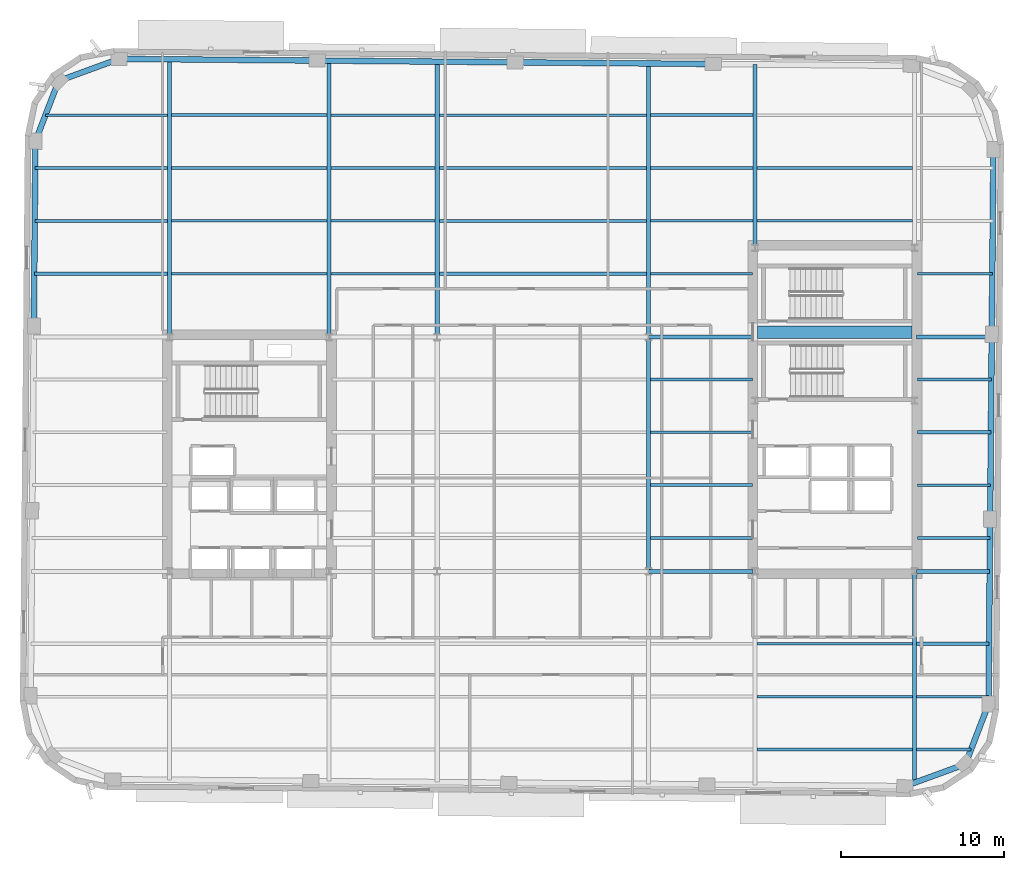
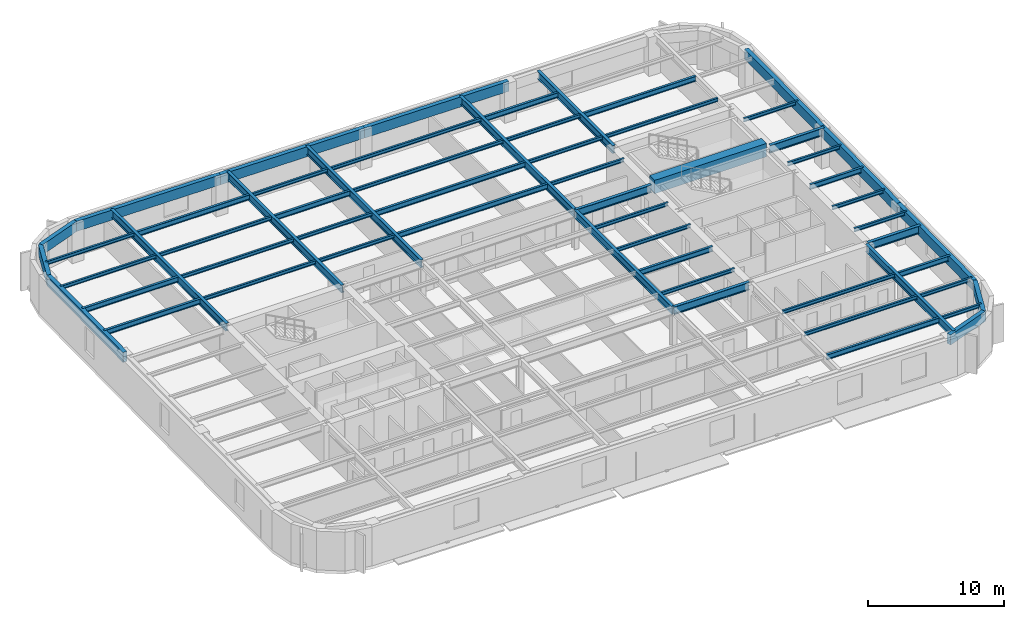
# One storey, part 2 of 12: 60 beams.
"""IFC4 building model written with IfcOpenShell, lengths in metres."""

from ifc_helpers import new_model, si_unit, direction, frame, origin, origin_2d, place, context, subcontext, project, spatial, rectangle, hollow_rectangle, i_section, extrude, material, material_profile, profile_set, type_object, element, save


model = new_model("IFC4")

# Units and contexts
model_context = context("Model", 3, precision=1e-05, world=origin(), true_north=direction((0.0, 1.0)))
body_context = subcontext(model_context, "Body", "Model", "MODEL_VIEW")
ifc_project = project(units=[si_unit("LENGTHUNIT", "METRE"), si_unit("AREAUNIT", "SQUARE_METRE"), si_unit("VOLUMEUNIT", "CUBIC_METRE"), si_unit("PLANEANGLEUNIT", "RADIAN"), si_unit("MASSUNIT", "GRAM", prefix="KILO")], contexts=[model_context])

# Site, building, storey
site_placement = place(None, origin())
site = spatial("IfcSite", under=ifc_project, at=site_placement, CompositionType="ELEMENT")
building_placement = place(site_placement, origin())
building = spatial("IfcBuilding", under=site, at=building_placement, Name="Kolvaren Arena Tower", CompositionType="ELEMENT")
storey_placement = place(building_placement, frame((0.0, 0.0, 165.949951171875)))
storey = spatial("IfcBuildingStorey", under=building, at=storey_placement, Name="L39", CompositionType="ELEMENT", Elevation=165.949951171875)

# Beams
ifc_material_1 = material(Name="Steel CSA G40.21 350W", Category="steel")
ifc_material_profile_1 = material_profile(ifc_material_1, i_section(OverallWidth=0.193115234375, OverallDepth=0.462890625, WebThickness=0.0107421875, FlangeThickness=0.0205078125, FilletRadius=0.012939453125, at=origin_2d()), Name="W460x113")
ifc_profile_set_1 = profile_set([ifc_material_profile_1], Name="Steel CSA G40.21 350W")
beam_type_1 = type_object("IfcBeamType", Name="BEAM-F2", PredefinedType="BEAM", material=ifc_profile_set_1)
beam_1_placement = place(storey_placement, frame((50.677490234375, 8.5, 3.24853515625), z_axis=(1.0, 0.0, 0.0), x_axis=(0.0, 1.0, 0.0)))
element("IfcBeam", 1, at=beam_1_placement, inside=storey, type_object=beam_type_1, Name="Composite Floor Beam (L39)", PredefinedType="BEAM", context=body_context, shape_type="SweptSolid", body=[
    extrude(i_section(OverallWidth=0.193115234375, OverallDepth=0.462890625, WebThickness=0.0107421875, FlangeThickness=0.0205078125, FilletRadius=0.012939453125, at=origin_2d()), origin(), (0.0, 0.0, 1.0), 9.544921875),
])
beam_2_placement = place(storey_placement, frame((60.4775390625, 15.0, 3.24853515625), z_axis=(1.0, 0.0, 0.0), x_axis=(0.0, 1.0, 0.0)))
element("IfcBeam", 2, at=beam_2_placement, inside=storey, type_object=beam_type_1, Name="Composite Floor Beam (L39)", PredefinedType="BEAM", context=body_context, shape_type="SweptSolid", body=[
    extrude(i_section(OverallWidth=0.193115234375, OverallDepth=0.462890625, WebThickness=0.0107421875, FlangeThickness=0.0205078125, FilletRadius=0.012939453125, at=origin_2d()), origin(), (0.0, 0.0, 1.0), 4.454833984375),
])
beam_3_placement = place(storey_placement, frame((44.12744140625, 24.75, 3.24853515625), z_axis=(1.0, 0.0, 0.0), x_axis=(0.0, 1.0, 0.0)))
element("IfcBeam", 3, at=beam_3_placement, inside=storey, type_object=beam_type_1, Name="Composite Floor Beam (L39)", PredefinedType="BEAM", context=body_context, shape_type="SweptSolid", body=[
    extrude(i_section(OverallWidth=0.193115234375, OverallDepth=0.462890625, WebThickness=0.0107421875, FlangeThickness=0.0205078125, FilletRadius=0.012939453125, at=origin_2d()), origin(), (0.0, 0.0, 1.0), 6.25244140625),
])
beam_4_placement = place(storey_placement, frame((60.52001953125, 28.0, 3.24853515625), z_axis=(1.0, 0.0, 0.0), x_axis=(0.0, 1.0, 0.0)))
element("IfcBeam", 4, at=beam_4_placement, inside=storey, type_object=beam_type_1, Name="Composite Floor Beam (L39)", PredefinedType="BEAM", context=body_context, shape_type="SweptSolid", body=[
    extrude(i_section(OverallWidth=0.193115234375, OverallDepth=0.462890625, WebThickness=0.0107421875, FlangeThickness=0.0205078125, FilletRadius=0.012939453125, at=origin_2d()), origin(), (0.0, 0.0, 1.0), 4.52587890625),
])
beam_5_placement = place(storey_placement, frame((6.228759765625, 37.75, 3.24853515625), z_axis=(1.0, 0.0, 0.0), x_axis=(0.0, 1.0, 0.0)))
element("IfcBeam", 5, at=beam_5_placement, inside=storey, type_object=beam_type_1, Name="Composite Floor Beam (L39)", PredefinedType="BEAM", context=body_context, shape_type="SweptSolid", body=[
    extrude(i_section(OverallWidth=0.193115234375, OverallDepth=0.462890625, WebThickness=0.0107421875, FlangeThickness=0.0205078125, FilletRadius=0.012939453125, at=origin_2d()), origin(), (0.0, 0.0, 1.0), 8.19384765625),
])
beam_6_placement = place(storey_placement, frame((31.12744140625, 37.75, 3.24853515625), z_axis=(1.0, 0.0, 0.0), x_axis=(0.0, 1.0, 0.0)))
element("IfcBeam", 6, at=beam_6_placement, inside=storey, type_object=beam_type_1, Name="Composite Floor Beam (L39)", PredefinedType="BEAM", context=body_context, shape_type="SweptSolid", body=[
    extrude(i_section(OverallWidth=0.193115234375, OverallDepth=0.462890625, WebThickness=0.0107421875, FlangeThickness=0.0205078125, FilletRadius=0.012939453125, at=origin_2d()), origin(), (0.0, 0.0, 1.0), 12.7451171875),
])
beam_7_placement = place(storey_placement, frame((6.257080078125, 41.0, 3.24853515625), z_axis=(1.0, 0.0, 0.0), x_axis=(0.0, 1.0, 0.0)))
element("IfcBeam", 7, at=beam_7_placement, inside=storey, type_object=beam_type_1, Name="Composite Floor Beam (L39)", PredefinedType="BEAM", context=body_context, shape_type="SweptSolid", body=[
    extrude(i_section(OverallWidth=0.193115234375, OverallDepth=0.462890625, WebThickness=0.0107421875, FlangeThickness=0.0205078125, FilletRadius=0.012939453125, at=origin_2d()), origin(), (0.0, 0.0, 1.0), 8.16552734375),
])
beam_8_placement = place(storey_placement, frame((31.12744140625, 41.0, 3.24853515625), z_axis=(1.0, 0.0, 0.0), x_axis=(0.0, 1.0, 0.0)))
element("IfcBeam", 8, at=beam_8_placement, inside=storey, type_object=beam_type_1, Name="Composite Floor Beam (L39)", PredefinedType="BEAM", context=body_context, shape_type="SweptSolid", body=[
    extrude(i_section(OverallWidth=0.193115234375, OverallDepth=0.462890625, WebThickness=0.0107421875, FlangeThickness=0.0205078125, FilletRadius=0.012939453125, at=origin_2d()), origin(), (0.0, 0.0, 1.0), 12.7451171875),
])
beam_9_placement = place(storey_placement, frame((24.4775390625, 44.25, 3.24853515625), z_axis=(1.0, 0.0, 0.0), x_axis=(0.0, 1.0, 0.0)))
element("IfcBeam", 9, at=beam_9_placement, inside=storey, type_object=beam_type_1, Name="Composite Floor Beam (L39)", PredefinedType="BEAM", context=body_context, shape_type="SweptSolid", body=[
    extrude(i_section(OverallWidth=0.193115234375, OverallDepth=0.462890625, WebThickness=0.0107421875, FlangeThickness=0.0205078125, FilletRadius=0.012939453125, at=origin_2d()), origin(), (0.0, 0.0, 1.0), 6.39501953125),
])
for number, where, z_axis, x_axis, name in (
    (10, (50.677490234375, 44.25, 3.24853515625), (1.0, 0.0, 0.0), (0.0, 1.0, 0.0), "Composite Floor Beam (L39)"),
    (11, (14.677490234375, 47.5, 3.24853515625), (1.0, 0.0, 0.0), (0.0, 1.0, 0.0), "Composite Floor Beam (L39)"),
):
    element("IfcBeam", number, at=place(storey_placement, frame(where, z_axis=z_axis, x_axis=x_axis)), inside=storey, type_object=beam_type_1, Name=name, PredefinedType="BEAM", context=body_context, shape_type="SweptSolid", body=[
        extrude(i_section(OverallWidth=0.193115234375, OverallDepth=0.462890625, WebThickness=0.0107421875, FlangeThickness=0.0205078125, FilletRadius=0.012939453125, at=origin_2d()), origin(), (0.0, 0.0, 1.0), 9.544921875),
    ])
beam_10_placement = place(storey_placement, frame((44.12744140625, 47.5, 3.24853515625), z_axis=(1.0, 0.0, 0.0), x_axis=(0.0, 1.0, 0.0)))
element("IfcBeam", 12, at=beam_10_placement, inside=storey, type_object=beam_type_1, Name="Composite Floor Beam (L39)", PredefinedType="BEAM", context=body_context, shape_type="SweptSolid", body=[
    extrude(i_section(OverallWidth=0.193115234375, OverallDepth=0.462890625, WebThickness=0.0107421875, FlangeThickness=0.0205078125, FilletRadius=0.012939453125, at=origin_2d()), origin(), (0.0, 0.0, 1.0), 6.295166015625),
])
ifc_material_2 = material(Name="Concrete 60 MPa", Category="concrete")
ifc_material_profile_2 = material_profile(ifc_material_2, rectangle(XDim=0.75, YDim=1.199951171875, at=origin_2d()), Name="RC-750x1200")
ifc_profile_set_2 = profile_set([ifc_material_profile_2], Name="Concrete 60 MPa")
beam_type_2 = type_object("IfcBeamType", Name="CB-CORE-2", PredefinedType="BEAM", material=ifc_profile_set_2)
beam_11_placement = place(storey_placement, frame((50.699951171875, 34.14990234375, 3.150146484375), z_axis=(1.0, 0.0, 0.0), x_axis=(0.0, 1.0, 0.0)))
element("IfcBeam", 13, at=beam_11_placement, inside=storey, type_object=beam_type_2, Name="East Core Coupling Beam (L39)", PredefinedType="BEAM", context=body_context, shape_type="SweptSolid", body=[
    extrude(rectangle(XDim=0.75, YDim=1.199951171875, at=origin_2d()), origin(), (0.0, 0.0, 1.0), 9.5),
])
ifc_material_profile_3 = material_profile(ifc_material_1, i_section(OverallWidth=0.2548828125, OverallDepth=0.695068359375, WebThickness=0.01708984375, FlangeThickness=0.02978515625, FilletRadius=0.01611328125, at=origin_2d()), Name="W690x217")
ifc_profile_set_3 = profile_set([ifc_material_profile_3], Name="Steel CSA G40.21 350W")
beam_type_3 = type_object("IfcBeamType", Name="GIRD-T2", PredefinedType="BEAM", material=ifc_profile_set_3)
beam_12_placement = place(storey_placement, frame((44.0, 19.449951171875, 3.132568359375), z_axis=(1.0, 0.0, 0.0), x_axis=(0.0, 1.0, 0.0)))
element("IfcBeam", 14, at=beam_12_placement, inside=storey, type_object=beam_type_3, Name="Primary Floor Girder (L39)", PredefinedType="BEAM", context=body_context, shape_type="SweptSolid", body=[
    extrude(i_section(OverallWidth=0.2548828125, OverallDepth=0.695068359375, WebThickness=0.01708984375, FlangeThickness=0.02978515625, FilletRadius=0.01611328125, at=origin_2d()), origin(), (0.0, 0.0, 1.0), 6.419921875),
])
beam_13_placement = place(storey_placement, frame((60.47998046875, 19.449951171875, 3.132568359375), z_axis=(1.0, 0.0, 0.0), x_axis=(0.0, 1.0, 0.0)))
element("IfcBeam", 15, at=beam_13_placement, inside=storey, type_object=beam_type_3, Name="Primary Floor Girder (L39)", PredefinedType="BEAM", context=body_context, shape_type="SweptSolid", body=[
    extrude(i_section(OverallWidth=0.2548828125, OverallDepth=0.695068359375, WebThickness=0.01708984375, FlangeThickness=0.02978515625, FilletRadius=0.01611328125, at=origin_2d()), origin(), (0.0, 0.0, 1.0), 4.4912109375),
])
beam_14_placement = place(storey_placement, frame((44.0, 33.85009765625, 3.132568359375), z_axis=(1.0, 0.0, 0.0), x_axis=(0.0, 1.0, 0.0)))
element("IfcBeam", 16, at=beam_14_placement, inside=storey, type_object=beam_type_3, Name="Primary Floor Girder (L39)", PredefinedType="BEAM", context=body_context, shape_type="SweptSolid", body=[
    extrude(i_section(OverallWidth=0.2548828125, OverallDepth=0.695068359375, WebThickness=0.01708984375, FlangeThickness=0.02978515625, FilletRadius=0.01611328125, at=origin_2d()), origin(), (0.0, 0.0, 1.0), 6.419921875),
])
beam_15_placement = place(storey_placement, frame((60.47998046875, 33.85009765625, 3.132568359375), z_axis=(1.0, 0.0, 0.0), x_axis=(0.0, 1.0, 0.0)))
element("IfcBeam", 17, at=beam_15_placement, inside=storey, type_object=beam_type_3, Name="Primary Floor Girder (L39)", PredefinedType="BEAM", context=body_context, shape_type="SweptSolid", body=[
    extrude(i_section(OverallWidth=0.2548828125, OverallDepth=0.695068359375, WebThickness=0.01708984375, FlangeThickness=0.02978515625, FilletRadius=0.01611328125, at=origin_2d()), origin(), (0.0, 0.0, 1.0), 4.616943359375),
])
beam_16_placement = place(storey_placement, frame((14.550048828125, 33.97998046875, 3.132568359375), z_axis=(0.0, 1.0, 0.0), x_axis=(-1.0, 0.0, 0.0)))
element("IfcBeam", 18, at=beam_16_placement, inside=storey, type_object=beam_type_3, Name="Primary Floor Girder (L39)", PredefinedType="BEAM", context=body_context, shape_type="SweptSolid", body=[
    extrude(i_section(OverallWidth=0.2548828125, OverallDepth=0.695068359375, WebThickness=0.01708984375, FlangeThickness=0.02978515625, FilletRadius=0.01611328125, at=origin_2d()), origin(), (0.0, 0.0, 1.0), 16.95458984375),
])
beam_17_placement = place(storey_placement, frame((24.35009765625, 33.97998046875, 3.132568359375), z_axis=(0.0, 1.0, 0.0), x_axis=(-1.0, 0.0, 0.0)))
element("IfcBeam", 19, at=beam_17_placement, inside=storey, type_object=beam_type_3, Name="Primary Floor Girder (L39)", PredefinedType="BEAM", context=body_context, shape_type="SweptSolid", body=[
    extrude(i_section(OverallWidth=0.2548828125, OverallDepth=0.695068359375, WebThickness=0.01708984375, FlangeThickness=0.02978515625, FilletRadius=0.01611328125, at=origin_2d()), origin(), (0.0, 0.0, 1.0), 16.869140625),
])
beam_18_placement = place(storey_placement, frame((31.0, 33.85009765625, 3.132568359375), z_axis=(0.0, 1.0, 0.0), x_axis=(-1.0, 0.0, 0.0)))
element("IfcBeam", 20, at=beam_18_placement, inside=storey, type_object=beam_type_3, Name="Primary Floor Girder (L39)", PredefinedType="BEAM", context=body_context, shape_type="SweptSolid", body=[
    extrude(i_section(OverallWidth=0.2548828125, OverallDepth=0.695068359375, WebThickness=0.01708984375, FlangeThickness=0.02978515625, FilletRadius=0.01611328125, at=origin_2d()), origin(), (0.0, 0.0, 1.0), 16.94091796875),
])
beam_19_placement = place(storey_placement, frame((44.0, 19.449951171875, 3.132568359375), z_axis=(0.0, 1.0, 0.0), x_axis=(-1.0, 0.0, 0.0)))
element("IfcBeam", 21, at=beam_19_placement, inside=storey, type_object=beam_type_3, Name="Primary Floor Girder (L39)", PredefinedType="BEAM", context=body_context, shape_type="SweptSolid", body=[
    extrude(i_section(OverallWidth=0.2548828125, OverallDepth=0.695068359375, WebThickness=0.01708984375, FlangeThickness=0.02978515625, FilletRadius=0.01611328125, at=origin_2d()), origin(), (0.0, 0.0, 1.0), 14.400146484375),
])
beam_20_placement = place(storey_placement, frame((44.0, 33.85009765625, 3.132568359375), z_axis=(0.0, 1.0, 0.0), x_axis=(-1.0, 0.0, 0.0)))
element("IfcBeam", 22, at=beam_20_placement, inside=storey, type_object=beam_type_3, Name="Primary Floor Girder (L39)", PredefinedType="BEAM", context=body_context, shape_type="SweptSolid", body=[
    extrude(i_section(OverallWidth=0.2548828125, OverallDepth=0.695068359375, WebThickness=0.01708984375, FlangeThickness=0.02978515625, FilletRadius=0.01611328125, at=origin_2d()), origin(), (0.0, 0.0, 1.0), 16.827392578125),
])
beam_21_placement = place(storey_placement, frame((50.550048828125, 39.47998046875, 3.132568359375), z_axis=(0.0, 1.0, 0.0), x_axis=(-1.0, 0.0, 0.0)))
element("IfcBeam", 23, at=beam_21_placement, inside=storey, type_object=beam_type_3, Name="Primary Floor Girder (L39)", PredefinedType="BEAM", context=body_context, shape_type="SweptSolid", body=[
    extrude(i_section(OverallWidth=0.2548828125, OverallDepth=0.695068359375, WebThickness=0.01708984375, FlangeThickness=0.02978515625, FilletRadius=0.01611328125, at=origin_2d()), origin(), (0.0, 0.0, 1.0), 11.140380859375),
])
beam_22_placement = place(storey_placement, frame((60.35009765625, 6.455322265625, 3.132568359375), z_axis=(0.0, 1.0, 0.0), x_axis=(-1.0, 0.0, 0.0)))
element("IfcBeam", 24, at=beam_22_placement, inside=storey, type_object=beam_type_3, Name="Primary Floor Girder (L39)", PredefinedType="BEAM", context=body_context, shape_type="SweptSolid", body=[
    extrude(i_section(OverallWidth=0.2548828125, OverallDepth=0.695068359375, WebThickness=0.01708984375, FlangeThickness=0.02978515625, FilletRadius=0.01611328125, at=origin_2d()), origin(), (0.0, 0.0, 1.0), 12.86474609375),
])
ifc_material_profile_4 = material_profile(ifc_material_1, i_section(OverallWidth=0.1669921875, OverallDepth=0.31689453125, WebThickness=0.007568359375, FlangeThickness=0.01318359375, FilletRadius=0.010009765625, at=origin_2d()), Name="W310x52")
ifc_profile_set_4 = profile_set([ifc_material_profile_4], Name="Steel CSA G40.21 350W")
beam_type_4 = type_object("IfcBeamType", Name="JOIST-02", PredefinedType="JOIST", material=ifc_profile_set_4)
beam_23_placement = place(storey_placement, frame((60.4775390625, 8.5, 3.321533203125), z_axis=(1.0, 0.0, 0.0), x_axis=(0.0, 1.0, 0.0)))
element("IfcBeam", 25, at=beam_23_placement, inside=storey, type_object=beam_type_4, Name="Composite Floor Joist (L39)", PredefinedType="JOIST", context=body_context, shape_type="SweptSolid", body=[
    extrude(i_section(OverallWidth=0.1669921875, OverallDepth=0.31689453125, WebThickness=0.007568359375, FlangeThickness=0.01318359375, FilletRadius=0.010009765625, at=origin_2d()), origin(), (0.0, 0.0, 1.0), 3.3466796875),
])
beam_24_placement = place(storey_placement, frame((50.677490234375, 11.75, 3.321533203125), z_axis=(1.0, 0.0, 0.0), x_axis=(0.0, 1.0, 0.0)))
element("IfcBeam", 26, at=beam_24_placement, inside=storey, type_object=beam_type_4, Name="Composite Floor Joist (L39)", PredefinedType="JOIST", context=body_context, shape_type="SweptSolid", body=[
    extrude(i_section(OverallWidth=0.1669921875, OverallDepth=0.31689453125, WebThickness=0.007568359375, FlangeThickness=0.01318359375, FilletRadius=0.010009765625, at=origin_2d()), origin(), (0.0, 0.0, 1.0), 9.544921875),
])
beam_25_placement = place(storey_placement, frame((60.4775390625, 11.75, 3.321533203125), z_axis=(1.0, 0.0, 0.0), x_axis=(0.0, 1.0, 0.0)))
element("IfcBeam", 27, at=beam_25_placement, inside=storey, type_object=beam_type_4, Name="Composite Floor Joist (L39)", PredefinedType="JOIST", context=body_context, shape_type="SweptSolid", body=[
    extrude(i_section(OverallWidth=0.1669921875, OverallDepth=0.31689453125, WebThickness=0.007568359375, FlangeThickness=0.01318359375, FilletRadius=0.010009765625, at=origin_2d()), origin(), (0.0, 0.0, 1.0), 4.426513671875),
])
beam_26_placement = place(storey_placement, frame((50.677490234375, 15.0, 3.321533203125), z_axis=(1.0, 0.0, 0.0), x_axis=(0.0, 1.0, 0.0)))
element("IfcBeam", 28, at=beam_26_placement, inside=storey, type_object=beam_type_4, Name="Composite Floor Joist (L39)", PredefinedType="JOIST", context=body_context, shape_type="SweptSolid", body=[
    extrude(i_section(OverallWidth=0.1669921875, OverallDepth=0.31689453125, WebThickness=0.007568359375, FlangeThickness=0.01318359375, FilletRadius=0.010009765625, at=origin_2d()), origin(), (0.0, 0.0, 1.0), 9.544921875),
])
beam_27_placement = place(storey_placement, frame((44.12744140625, 21.5, 3.321533203125), z_axis=(1.0, 0.0, 0.0), x_axis=(0.0, 1.0, 0.0)))
element("IfcBeam", 29, at=beam_27_placement, inside=storey, type_object=beam_type_4, Name="Composite Floor Joist (L39)", PredefinedType="JOIST", context=body_context, shape_type="SweptSolid", body=[
    extrude(i_section(OverallWidth=0.1669921875, OverallDepth=0.31689453125, WebThickness=0.007568359375, FlangeThickness=0.01318359375, FilletRadius=0.010009765625, at=origin_2d()), origin(), (0.0, 0.0, 1.0), 6.25244140625),
])
beam_28_placement = place(storey_placement, frame((60.52001953125, 21.5, 3.321533203125), z_axis=(1.0, 0.0, 0.0), x_axis=(0.0, 1.0, 0.0)))
element("IfcBeam", 30, at=beam_28_placement, inside=storey, type_object=beam_type_4, Name="Composite Floor Joist (L39)", PredefinedType="JOIST", context=body_context, shape_type="SweptSolid", body=[
    extrude(i_section(OverallWidth=0.1669921875, OverallDepth=0.31689453125, WebThickness=0.007568359375, FlangeThickness=0.01318359375, FilletRadius=0.010009765625, at=origin_2d()), origin(), (0.0, 0.0, 1.0), 4.46923828125),
])
beam_29_placement = place(storey_placement, frame((60.52001953125, 24.75, 3.321533203125), z_axis=(1.0, 0.0, 0.0), x_axis=(0.0, 1.0, 0.0)))
element("IfcBeam", 31, at=beam_29_placement, inside=storey, type_object=beam_type_4, Name="Composite Floor Joist (L39)", PredefinedType="JOIST", context=body_context, shape_type="SweptSolid", body=[
    extrude(i_section(OverallWidth=0.1669921875, OverallDepth=0.31689453125, WebThickness=0.007568359375, FlangeThickness=0.01318359375, FilletRadius=0.010009765625, at=origin_2d()), origin(), (0.0, 0.0, 1.0), 4.49755859375),
])
for number, where, z_axis, x_axis, name in (
    (32, (44.12744140625, 28.0, 3.321533203125), (1.0, 0.0, 0.0), (0.0, 1.0, 0.0), "Composite Floor Joist (L39)"),
    (33, (44.12744140625, 31.25, 3.321533203125), (1.0, 0.0, 0.0), (0.0, 1.0, 0.0), "Composite Floor Joist (L39)"),
):
    element("IfcBeam", number, at=place(storey_placement, frame(where, z_axis=z_axis, x_axis=x_axis)), inside=storey, type_object=beam_type_4, Name=name, PredefinedType="JOIST", context=body_context, shape_type="SweptSolid", body=[
        extrude(i_section(OverallWidth=0.1669921875, OverallDepth=0.31689453125, WebThickness=0.007568359375, FlangeThickness=0.01318359375, FilletRadius=0.010009765625, at=origin_2d()), origin(), (0.0, 0.0, 1.0), 6.25244140625),
    ])
beam_30_placement = place(storey_placement, frame((60.52001953125, 31.25, 3.321533203125), z_axis=(1.0, 0.0, 0.0), x_axis=(0.0, 1.0, 0.0)))
element("IfcBeam", 34, at=beam_30_placement, inside=storey, type_object=beam_type_4, Name="Composite Floor Joist (L39)", PredefinedType="JOIST", context=body_context, shape_type="SweptSolid", body=[
    extrude(i_section(OverallWidth=0.1669921875, OverallDepth=0.31689453125, WebThickness=0.007568359375, FlangeThickness=0.01318359375, FilletRadius=0.010009765625, at=origin_2d()), origin(), (0.0, 0.0, 1.0), 4.55419921875),
])
beam_31_placement = place(storey_placement, frame((14.677490234375, 37.75, 3.321533203125), z_axis=(1.0, 0.0, 0.0), x_axis=(0.0, 1.0, 0.0)))
element("IfcBeam", 35, at=beam_31_placement, inside=storey, type_object=beam_type_4, Name="Composite Floor Joist (L39)", PredefinedType="JOIST", context=body_context, shape_type="SweptSolid", body=[
    extrude(i_section(OverallWidth=0.1669921875, OverallDepth=0.31689453125, WebThickness=0.007568359375, FlangeThickness=0.01318359375, FilletRadius=0.010009765625, at=origin_2d()), origin(), (0.0, 0.0, 1.0), 9.544921875),
])
beam_32_placement = place(storey_placement, frame((24.4775390625, 37.75, 3.321533203125), z_axis=(1.0, 0.0, 0.0), x_axis=(0.0, 1.0, 0.0)))
element("IfcBeam", 36, at=beam_32_placement, inside=storey, type_object=beam_type_4, Name="Composite Floor Joist (L39)", PredefinedType="JOIST", context=body_context, shape_type="SweptSolid", body=[
    extrude(i_section(OverallWidth=0.1669921875, OverallDepth=0.31689453125, WebThickness=0.007568359375, FlangeThickness=0.01318359375, FilletRadius=0.010009765625, at=origin_2d()), origin(), (0.0, 0.0, 1.0), 6.39501953125),
])
beam_33_placement = place(storey_placement, frame((44.12744140625, 37.75, 3.321533203125), z_axis=(1.0, 0.0, 0.0), x_axis=(0.0, 1.0, 0.0)))
element("IfcBeam", 37, at=beam_33_placement, inside=storey, type_object=beam_type_4, Name="Composite Floor Joist (L39)", PredefinedType="JOIST", context=body_context, shape_type="SweptSolid", body=[
    extrude(i_section(OverallWidth=0.1669921875, OverallDepth=0.31689453125, WebThickness=0.007568359375, FlangeThickness=0.01318359375, FilletRadius=0.010009765625, at=origin_2d()), origin(), (0.0, 0.0, 1.0), 6.25244140625),
])
beam_34_placement = place(storey_placement, frame((60.52001953125, 37.75, 3.321533203125), z_axis=(1.0, 0.0, 0.0), x_axis=(0.0, 1.0, 0.0)))
element("IfcBeam", 38, at=beam_34_placement, inside=storey, type_object=beam_type_4, Name="Composite Floor Joist (L39)", PredefinedType="JOIST", context=body_context, shape_type="SweptSolid", body=[
    extrude(i_section(OverallWidth=0.1669921875, OverallDepth=0.31689453125, WebThickness=0.007568359375, FlangeThickness=0.01318359375, FilletRadius=0.010009765625, at=origin_2d()), origin(), (0.0, 0.0, 1.0), 4.611083984375),
])
beam_35_placement = place(storey_placement, frame((14.677490234375, 41.0, 3.321533203125), z_axis=(1.0, 0.0, 0.0), x_axis=(0.0, 1.0, 0.0)))
element("IfcBeam", 39, at=beam_35_placement, inside=storey, type_object=beam_type_4, Name="Composite Floor Joist (L39)", PredefinedType="JOIST", context=body_context, shape_type="SweptSolid", body=[
    extrude(i_section(OverallWidth=0.1669921875, OverallDepth=0.31689453125, WebThickness=0.007568359375, FlangeThickness=0.01318359375, FilletRadius=0.010009765625, at=origin_2d()), origin(), (0.0, 0.0, 1.0), 9.544921875),
])
beam_36_placement = place(storey_placement, frame((24.4775390625, 41.0, 3.321533203125), z_axis=(1.0, 0.0, 0.0), x_axis=(0.0, 1.0, 0.0)))
element("IfcBeam", 40, at=beam_36_placement, inside=storey, type_object=beam_type_4, Name="Composite Floor Joist (L39)", PredefinedType="JOIST", context=body_context, shape_type="SweptSolid", body=[
    extrude(i_section(OverallWidth=0.1669921875, OverallDepth=0.31689453125, WebThickness=0.007568359375, FlangeThickness=0.01318359375, FilletRadius=0.010009765625, at=origin_2d()), origin(), (0.0, 0.0, 1.0), 6.39501953125),
])
beam_37_placement = place(storey_placement, frame((44.12744140625, 41.0, 3.321533203125), z_axis=(1.0, 0.0, 0.0), x_axis=(0.0, 1.0, 0.0)))
element("IfcBeam", 41, at=beam_37_placement, inside=storey, type_object=beam_type_4, Name="Composite Floor Joist (L39)", PredefinedType="JOIST", context=body_context, shape_type="SweptSolid", body=[
    extrude(i_section(OverallWidth=0.1669921875, OverallDepth=0.31689453125, WebThickness=0.007568359375, FlangeThickness=0.01318359375, FilletRadius=0.010009765625, at=origin_2d()), origin(), (0.0, 0.0, 1.0), 6.295166015625),
])
beam_38_placement = place(storey_placement, frame((50.677490234375, 41.0, 3.321533203125), z_axis=(1.0, 0.0, 0.0), x_axis=(0.0, 1.0, 0.0)))
element("IfcBeam", 42, at=beam_38_placement, inside=storey, type_object=beam_type_4, Name="Composite Floor Joist (L39)", PredefinedType="JOIST", context=body_context, shape_type="SweptSolid", body=[
    extrude(i_section(OverallWidth=0.1669921875, OverallDepth=0.31689453125, WebThickness=0.007568359375, FlangeThickness=0.01318359375, FilletRadius=0.010009765625, at=origin_2d()), origin(), (0.0, 0.0, 1.0), 9.544921875),
])
beam_39_placement = place(storey_placement, frame((6.285400390625, 44.25, 3.321533203125), z_axis=(1.0, 0.0, 0.0), x_axis=(0.0, 1.0, 0.0)))
element("IfcBeam", 43, at=beam_39_placement, inside=storey, type_object=beam_type_4, Name="Composite Floor Joist (L39)", PredefinedType="JOIST", context=body_context, shape_type="SweptSolid", body=[
    extrude(i_section(OverallWidth=0.1669921875, OverallDepth=0.31689453125, WebThickness=0.007568359375, FlangeThickness=0.01318359375, FilletRadius=0.010009765625, at=origin_2d()), origin(), (0.0, 0.0, 1.0), 8.13720703125),
])
beam_40_placement = place(storey_placement, frame((14.677490234375, 44.25, 3.321533203125), z_axis=(1.0, 0.0, 0.0), x_axis=(0.0, 1.0, 0.0)))
element("IfcBeam", 44, at=beam_40_placement, inside=storey, type_object=beam_type_4, Name="Composite Floor Joist (L39)", PredefinedType="JOIST", context=body_context, shape_type="SweptSolid", body=[
    extrude(i_section(OverallWidth=0.1669921875, OverallDepth=0.31689453125, WebThickness=0.007568359375, FlangeThickness=0.01318359375, FilletRadius=0.010009765625, at=origin_2d()), origin(), (0.0, 0.0, 1.0), 9.544921875),
])
beam_41_placement = place(storey_placement, frame((31.12744140625, 44.25, 3.321533203125), z_axis=(1.0, 0.0, 0.0), x_axis=(0.0, 1.0, 0.0)))
element("IfcBeam", 45, at=beam_41_placement, inside=storey, type_object=beam_type_4, Name="Composite Floor Joist (L39)", PredefinedType="JOIST", context=body_context, shape_type="SweptSolid", body=[
    extrude(i_section(OverallWidth=0.1669921875, OverallDepth=0.31689453125, WebThickness=0.007568359375, FlangeThickness=0.01318359375, FilletRadius=0.010009765625, at=origin_2d()), origin(), (0.0, 0.0, 1.0), 12.7451171875),
])
beam_42_placement = place(storey_placement, frame((44.12744140625, 44.25, 3.321533203125), z_axis=(1.0, 0.0, 0.0), x_axis=(0.0, 1.0, 0.0)))
element("IfcBeam", 46, at=beam_42_placement, inside=storey, type_object=beam_type_4, Name="Composite Floor Joist (L39)", PredefinedType="JOIST", context=body_context, shape_type="SweptSolid", body=[
    extrude(i_section(OverallWidth=0.1669921875, OverallDepth=0.31689453125, WebThickness=0.007568359375, FlangeThickness=0.01318359375, FilletRadius=0.010009765625, at=origin_2d()), origin(), (0.0, 0.0, 1.0), 6.295166015625),
])
beam_43_placement = place(storey_placement, frame((6.913818359375, 47.5, 3.321533203125), z_axis=(1.0, 0.0, 0.0), x_axis=(0.0, 1.0, 0.0)))
element("IfcBeam", 47, at=beam_43_placement, inside=storey, type_object=beam_type_4, Name="Composite Floor Joist (L39)", PredefinedType="JOIST", context=body_context, shape_type="SweptSolid", body=[
    extrude(i_section(OverallWidth=0.1669921875, OverallDepth=0.31689453125, WebThickness=0.007568359375, FlangeThickness=0.01318359375, FilletRadius=0.010009765625, at=origin_2d()), origin(), (0.0, 0.0, 1.0), 7.5087890625),
])
beam_44_placement = place(storey_placement, frame((24.4775390625, 47.5, 3.321533203125), z_axis=(1.0, 0.0, 0.0), x_axis=(0.0, 1.0, 0.0)))
element("IfcBeam", 48, at=beam_44_placement, inside=storey, type_object=beam_type_4, Name="Composite Floor Joist (L39)", PredefinedType="JOIST", context=body_context, shape_type="SweptSolid", body=[
    extrude(i_section(OverallWidth=0.1669921875, OverallDepth=0.31689453125, WebThickness=0.007568359375, FlangeThickness=0.01318359375, FilletRadius=0.010009765625, at=origin_2d()), origin(), (0.0, 0.0, 1.0), 6.39501953125),
])
beam_45_placement = place(storey_placement, frame((31.12744140625, 47.5, 3.321533203125), z_axis=(1.0, 0.0, 0.0), x_axis=(0.0, 1.0, 0.0)))
element("IfcBeam", 49, at=beam_45_placement, inside=storey, type_object=beam_type_4, Name="Composite Floor Joist (L39)", PredefinedType="JOIST", context=body_context, shape_type="SweptSolid", body=[
    extrude(i_section(OverallWidth=0.1669921875, OverallDepth=0.31689453125, WebThickness=0.007568359375, FlangeThickness=0.01318359375, FilletRadius=0.010009765625, at=origin_2d()), origin(), (0.0, 0.0, 1.0), 12.7451171875),
])
ifc_material_3 = material(Name="Steel CSA G40.21 350WT", Category="steel")
ifc_material_profile_5 = material_profile(ifc_material_3, hollow_rectangle(XDim=0.35009765625, YDim=0.89990234375, WallThickness=0.02001953125, at=origin_2d()), Name="HSS 900x350x20")
ifc_profile_set_5 = profile_set([ifc_material_profile_5], Name="Steel CSA G40.21 350WT")
beam_type_5 = type_object("IfcBeamType", Name="SPAND-01", PredefinedType="SPANDREL", material=ifc_profile_set_5)
for number, where, z_axis, x_axis, name in (
    (50, (59.755859375, 6.23828125, 3.030029296875), (0.939313819882, 0.343059102458, 0.0), (-0.343059102458, 0.939313819882, 0.0), "Perimeter Spandrel Beam (L39)"),
    (51, (63.4765625, 7.59716796875, 3.030029296875), (0.359383792094, 0.933189846698, 0.0), (-0.933189846698, 0.359383792094, 0.0), "Perimeter Spandrel Beam (L39)"),
):
    element("IfcBeam", number, at=place(storey_placement, frame(where, z_axis=z_axis, x_axis=x_axis)), inside=storey, type_object=beam_type_5, Name=name, PredefinedType="SPANDREL", context=body_context, shape_type="SweptSolid", body=[
        extrude(hollow_rectangle(XDim=0.35009765625, YDim=0.89990234375, WallThickness=0.02001953125, at=origin_2d()), origin(), (0.0, 0.0, 1.0), 3.961181640625),
    ])
for number, where, z_axis, x_axis, name in (
    (52, (64.900146484375, 11.293701171875, 3.030029296875), (0.008720348885, 0.999961977035, 0.0), (-0.999961977035, 0.008720348885, 0.0), "Perimeter Spandrel Beam (L39)"),
    (53, (64.999267578125, 22.659912109375, 3.030029296875), (0.008720348885, 0.999961977035, 0.0), (-0.999961977035, 0.008720348885, 0.0), "Perimeter Spandrel Beam (L39)"),
    (54, (65.098388671875, 34.026123046875, 3.030029296875), (0.008741825937, 0.99996178951, 0.0), (-0.99996178951, 0.008741825937, 0.0), "Perimeter Spandrel Beam (L39)"),
):
    element("IfcBeam", number, at=place(storey_placement, frame(where, z_axis=z_axis, x_axis=x_axis)), inside=storey, type_object=beam_type_5, Name=name, PredefinedType="SPANDREL", context=body_context, shape_type="SweptSolid", body=[
        extrude(hollow_rectangle(XDim=0.35009765625, YDim=0.89990234375, WallThickness=0.02001953125, at=origin_2d()), origin(), (0.0, 0.0, 1.0), 11.36669921875),
    ])
beam_46_placement = place(storey_placement, frame((47.9677734375, 50.642822265625, 3.030029296875), z_axis=(-0.999961779919, 0.008742922896, 0.0), x_axis=(-0.008742922896, -0.999961779919, 0.0)))
element("IfcBeam", 55, at=beam_46_placement, inside=storey, type_object=beam_type_5, Name="Perimeter Spandrel Beam (L39)", PredefinedType="SPANDREL", context=body_context, shape_type="SweptSolid", body=[
    extrude(hollow_rectangle(XDim=0.35009765625, YDim=0.89990234375, WallThickness=0.02001953125, at=origin_2d()), origin(), (0.0, 0.0, 1.0), 12.175048828125),
])
beam_47_placement = place(storey_placement, frame((35.793212890625, 50.749267578125, 3.030029296875), z_axis=(-0.999961953504, 0.008723046761, 0.0), x_axis=(-0.008723046761, -0.999961953504, 0.0)))
element("IfcBeam", 56, at=beam_47_placement, inside=storey, type_object=beam_type_5, Name="Perimeter Spandrel Beam (L39)", PredefinedType="SPANDREL", context=body_context, shape_type="SweptSolid", body=[
    extrude(hollow_rectangle(XDim=0.35009765625, YDim=0.89990234375, WallThickness=0.02001953125, at=origin_2d()), origin(), (0.0, 0.0, 1.0), 12.1748046875),
])
beam_48_placement = place(storey_placement, frame((23.618896484375, 50.85546875, 3.030029296875), z_axis=(-0.999961956555, 0.008722696942, 0.0), x_axis=(-0.008722696942, -0.999961956555, 0.0)))
element("IfcBeam", 57, at=beam_48_placement, inside=storey, type_object=beam_type_5, Name="Perimeter Spandrel Beam (L39)", PredefinedType="SPANDREL", context=body_context, shape_type="SweptSolid", body=[
    extrude(hollow_rectangle(XDim=0.35009765625, YDim=0.89990234375, WallThickness=0.02001953125, at=origin_2d()), origin(), (0.0, 0.0, 1.0), 12.17529296875),
])
for number, where, z_axis, x_axis, name in (
    (58, (11.444091796875, 50.961669921875, 3.030029296875), (-0.939313819882, -0.343059102458, 0.0), (0.343059102458, -0.939313819882, 0.0), "Perimeter Spandrel Beam (L39)"),
    (59, (7.723388671875, 49.602783203125, 3.030029296875), (-0.359383792094, -0.933189846698, 0.0), (0.933189846698, -0.359383792094, 0.0), "Perimeter Spandrel Beam (L39)"),
):
    element("IfcBeam", number, at=place(storey_placement, frame(where, z_axis=z_axis, x_axis=x_axis)), inside=storey, type_object=beam_type_5, Name=name, PredefinedType="SPANDREL", context=body_context, shape_type="SweptSolid", body=[
        extrude(hollow_rectangle(XDim=0.35009765625, YDim=0.89990234375, WallThickness=0.02001953125, at=origin_2d()), origin(), (0.0, 0.0, 1.0), 3.961181640625),
    ])
beam_49_placement = place(storey_placement, frame((6.2998046875, 45.90625, 3.030029296875), z_axis=(-0.008720348885, -0.999961977035, 0.0), x_axis=(0.999961977035, -0.008720348885, 0.0)))
element("IfcBeam", 60, at=beam_49_placement, inside=storey, type_object=beam_type_5, Name="Perimeter Spandrel Beam (L39)", PredefinedType="SPANDREL", context=body_context, shape_type="SweptSolid", body=[
    extrude(hollow_rectangle(XDim=0.35009765625, YDim=0.89990234375, WallThickness=0.02001953125, at=origin_2d()), origin(), (0.0, 0.0, 1.0), 11.36669921875),
])

save(model, "model.ifc")
